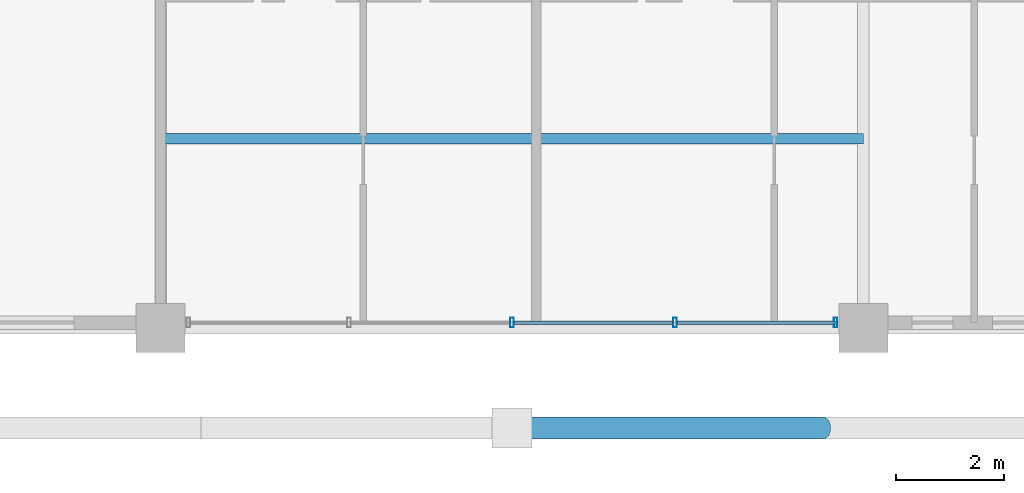
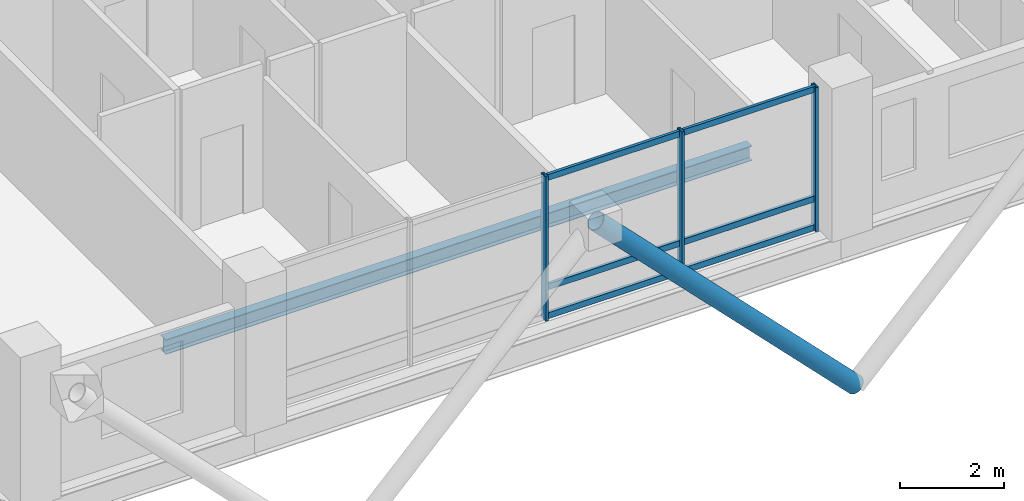
# One storey, part 5 of 24: 10 members, 1 beam, 1 element without a shape of its own.
"""IFC4 building model written with IfcOpenShell, lengths in metres."""

from ifc_helpers import new_model, si_unit, direction, frame, origin, origin_2d, place, context, subcontext, project, spatial, hollow_rectangle, hollow_circle, i_section, extrude, material, layer, layer_set, material_profile, profile_set, type_object, element, aggregate, save


model = new_model("IFC4")

# Units and contexts
model_context = context("Model", 3, precision=1e-05, world=origin(), true_north=direction((0.0, 1.0)))
body_context = subcontext(model_context, "Body", "Model", "MODEL_VIEW")
ifc_project = project(units=[si_unit("LENGTHUNIT", "METRE"), si_unit("AREAUNIT", "SQUARE_METRE"), si_unit("VOLUMEUNIT", "CUBIC_METRE"), si_unit("PLANEANGLEUNIT", "RADIAN"), si_unit("MASSUNIT", "GRAM", prefix="KILO")], contexts=[model_context])

# Site, building, storey
site_placement = place(None, origin())
site = spatial("IfcSite", under=ifc_project, at=site_placement, CompositionType="ELEMENT")
building_placement = place(site_placement, origin())
building = spatial("IfcBuilding", under=site, at=building_placement, Name="Barlavira Tower and Art Museum", CompositionType="ELEMENT")
storey_placement = place(building_placement, frame((0.0, 0.0, 225.89990234375)))
storey = spatial("IfcBuildingStorey", under=building, at=storey_placement, Name="L58", CompositionType="ELEMENT", Elevation=225.89990234375)

# Curtain wall, members
ifc_material_1 = material(Name="Low-iron coastal laminated glass", Category="glass")
ifc_layer = layer(ifc_material_1, 0.2099609375, Name="Low-iron coastal laminated glass")
ifc_layer_set = layer_set([ifc_layer], Name="Low-iron coastal laminated glass")
curtain_wall_type = type_object("IfcCurtainWallType", Name="Pale-Metal Unitised Curtain Wall Zone 4", PredefinedType="NOTDEFINED", material=ifc_layer_set)
curtain_wall_placement = place(storey_placement, origin())
curtain_wall = element("IfcCurtainWall", 1, at=curtain_wall_placement, inside=storey, type_object=curtain_wall_type, Name="L58 Curtain Wall CW4-L58-S-B2", PredefinedType="NOTDEFINED")
ifc_material_2 = material(Name="Pale anodised aluminium", Category="aluminium")
ifc_material_profile_1 = material_profile(ifc_material_2, hollow_rectangle(XDim=0.06494140625, YDim=0.179931640625, WallThickness=0.00390625, at=origin_2d()), Name="ALU-MULL 65x180x4")
ifc_profile_set_1 = profile_set([ifc_material_profile_1], Name="Pale anodised aluminium")
member_type_1 = type_object("IfcMemberType", Name="Curtain Wall Pale-Metal Mullion 65x180", PredefinedType="MULLION", material=ifc_profile_set_1)
member_1_placement = place(storey_placement, frame((0.0, -19.89990234375, 0.0), z_axis=(0.0, 0.0, 1.0), x_axis=(1.0, 0.0, 0.0)))
member_1 = element("IfcMember", 2, at=member_1_placement, type_object=member_type_1, Name="CW4-L58-S-B2 Mullion 2", PredefinedType="MULLION", context=body_context, shape_type="SweptSolid", body=[
    extrude(hollow_rectangle(XDim=0.06494140625, YDim=0.179931640625, WallThickness=0.00390625, at=origin_2d()), origin(), (0.0, 0.0, 1.0), 3.380126953125),
])
member_2_placement = place(storey_placement, frame((3.014892578125, -19.89990234375, 0.0), z_axis=(0.0, 0.0, 1.0), x_axis=(1.0, 0.0, 0.0)))
member_2 = element("IfcMember", 3, at=member_2_placement, type_object=member_type_1, Name="CW4-L58-S-B2 Mullion 3", PredefinedType="MULLION", context=body_context, shape_type="SweptSolid", body=[
    extrude(hollow_rectangle(XDim=0.06494140625, YDim=0.179931640625, WallThickness=0.00390625, at=origin_2d()), origin(), (0.0, 0.0, 1.0), 3.380126953125),
])
member_3_placement = place(storey_placement, frame((5.985107421875, -19.89990234375, 0.0), z_axis=(0.0, 0.0, 1.0), x_axis=(1.0, 0.0, 0.0)))
member_3 = element("IfcMember", 4, at=member_3_placement, type_object=member_type_1, Name="CW4-L58-S-B2 Mullion 4", PredefinedType="MULLION", context=body_context, shape_type="SweptSolid", body=[
    extrude(hollow_rectangle(XDim=0.06494140625, YDim=0.179931640625, WallThickness=0.00390625, at=origin_2d()), origin(), (0.0, 0.0, 1.0), 3.380126953125),
])
ifc_material_profile_2 = material_profile(ifc_material_2, hollow_rectangle(XDim=0.06494140625, YDim=0.139892578125, WallThickness=0.00390625, at=origin_2d()), Name="ALU-TRAN 65x140x4")
ifc_profile_set_2 = profile_set([ifc_material_profile_2], Name="Pale anodised aluminium")
member_type_2 = type_object("IfcMemberType", Name="Curtain Wall Pale-Metal Transom 65x140", PredefinedType="USERDEFINED", material=ifc_profile_set_2)
member_4_placement = place(storey_placement, frame((0.044921875, -19.89990234375, 0.070068359375), z_axis=(1.0, 0.0, 0.0), x_axis=(0.0, 1.0, 0.0)))
member_4 = element("IfcMember", 5, at=member_4_placement, type_object=member_type_2, Name="CW4-L58-S-B2 Transom 2.1", ObjectType="TRANSOM", PredefinedType="USERDEFINED", context=body_context, shape_type="SweptSolid", body=[
    extrude(hollow_rectangle(XDim=0.06494140625, YDim=0.139892578125, WallThickness=0.00390625, at=origin_2d()), origin(), (0.0, 0.0, 1.0), 2.925048828125),
])
member_5_placement = place(storey_placement, frame((0.044921875, -19.89990234375, 0.744140625), z_axis=(1.0, 0.0, 0.0), x_axis=(0.0, 1.0, 0.0)))
member_5 = element("IfcMember", 6, at=member_5_placement, type_object=member_type_2, Name="CW4-L58-S-B2 Transom 2.2", ObjectType="TRANSOM", PredefinedType="USERDEFINED", context=body_context, shape_type="SweptSolid", body=[
    extrude(hollow_rectangle(XDim=0.06494140625, YDim=0.139892578125, WallThickness=0.00390625, at=origin_2d()), origin(), (0.0, 0.0, 1.0), 2.925048828125),
])
member_6_placement = place(storey_placement, frame((0.044921875, -19.89990234375, 3.31005859375), z_axis=(1.0, 0.0, 0.0), x_axis=(0.0, 1.0, 0.0)))
member_6 = element("IfcMember", 7, at=member_6_placement, type_object=member_type_2, Name="CW4-L58-S-B2 Transom 2.3", ObjectType="TRANSOM", PredefinedType="USERDEFINED", context=body_context, shape_type="SweptSolid", body=[
    extrude(hollow_rectangle(XDim=0.06494140625, YDim=0.139892578125, WallThickness=0.00390625, at=origin_2d()), origin(), (0.0, 0.0, 1.0), 2.925048828125),
])
member_7_placement = place(storey_placement, frame((3.06005859375, -19.89990234375, 0.070068359375), z_axis=(1.0, 0.0, 0.0), x_axis=(0.0, 1.0, 0.0)))
member_7 = element("IfcMember", 8, at=member_7_placement, type_object=member_type_2, Name="CW4-L58-S-B2 Transom 3.1", ObjectType="TRANSOM", PredefinedType="USERDEFINED", context=body_context, shape_type="SweptSolid", body=[
    extrude(hollow_rectangle(XDim=0.06494140625, YDim=0.139892578125, WallThickness=0.00390625, at=origin_2d()), origin(), (0.0, 0.0, 1.0), 2.925048828125),
])
member_8_placement = place(storey_placement, frame((3.06005859375, -19.89990234375, 0.744140625), z_axis=(1.0, 0.0, 0.0), x_axis=(0.0, 1.0, 0.0)))
member_8 = element("IfcMember", 9, at=member_8_placement, type_object=member_type_2, Name="CW4-L58-S-B2 Transom 3.2", ObjectType="TRANSOM", PredefinedType="USERDEFINED", context=body_context, shape_type="SweptSolid", body=[
    extrude(hollow_rectangle(XDim=0.06494140625, YDim=0.139892578125, WallThickness=0.00390625, at=origin_2d()), origin(), (0.0, 0.0, 1.0), 2.925048828125),
])
member_9_placement = place(storey_placement, frame((3.06005859375, -19.89990234375, 3.31005859375), z_axis=(1.0, 0.0, 0.0), x_axis=(0.0, 1.0, 0.0)))
member_9 = element("IfcMember", 10, at=member_9_placement, type_object=member_type_2, Name="CW4-L58-S-B2 Transom 3.3", ObjectType="TRANSOM", PredefinedType="USERDEFINED", context=body_context, shape_type="SweptSolid", body=[
    extrude(hollow_rectangle(XDim=0.06494140625, YDim=0.139892578125, WallThickness=0.00390625, at=origin_2d()), origin(), (0.0, 0.0, 1.0), 2.925048828125),
])
aggregate(curtain_wall, [member_1, member_2, member_3, member_4, member_5, member_6, member_7, member_8, member_9])

# Member
ifc_material_3 = material(Name="Steel S355", Category="steel")
ifc_material_profile_3 = material_profile(ifc_material_3, hollow_circle(Radius=0.203125, WallThickness=0.01611328125, at=origin_2d()), Name="CHS 406.4x16.0")
ifc_profile_set_3 = profile_set([ifc_material_profile_3], Name="Steel S355")
member_type_3 = type_object("IfcMemberType", Name="Pale-Metal Exoskeleton Diagrid Tube CHS 406x16 Steel S355", PredefinedType="BRACE", material=ifc_profile_set_3)
member_10_placement = place(storey_placement, frame((5.75, -21.85009765625, -2.369873046875), z_axis=(-0.700993913973, 0.0, 0.713167254276), x_axis=(0.0, -1.0, 0.0)))
element("IfcMember", 11, at=member_10_placement, inside=storey, type_object=member_type_3, Name="L58 Exoskeleton Diagrid Tube S", PredefinedType="BRACE", context=body_context, shape_type="SweptSolid", body=[
    extrude(hollow_circle(Radius=0.203125, WallThickness=0.01611328125, at=origin_2d()), origin(), (0.0, 0.0, 1.0), 8.20263671875),
])

# Beam
ifc_material_profile_4 = material_profile(ifc_material_3, i_section(OverallWidth=0.202880859375, OverallDepth=0.346923828125, WebThickness=0.0078125, FlangeThickness=0.013427734375, at=origin_2d()), Name="W360x64.0")
ifc_profile_set_4 = profile_set([ifc_material_profile_4], Name="Steel S355")
beam_type = type_object("IfcBeamType", Name="Zone 4 Composite Floor Joist W360x64 Steel S355", PredefinedType="JOIST", material=ifc_profile_set_4)
beam_placement = place(storey_placement, frame((-6.5, -16.5, -0.393310546875), z_axis=(1.0, 0.0, 0.0), x_axis=(0.0, 1.0, 0.0)))
element("IfcBeam", 12, at=beam_placement, inside=storey, type_object=beam_type, Name="L58 Joist C1", PredefinedType="JOIST", context=body_context, shape_type="SweptSolid", body=[
    extrude(i_section(OverallWidth=0.202880859375, OverallDepth=0.346923828125, WebThickness=0.0078125, FlangeThickness=0.013427734375, at=origin_2d()), origin(), (0.0, 0.0, 1.0), 13.0),
])

save(model, "model.ifc")
